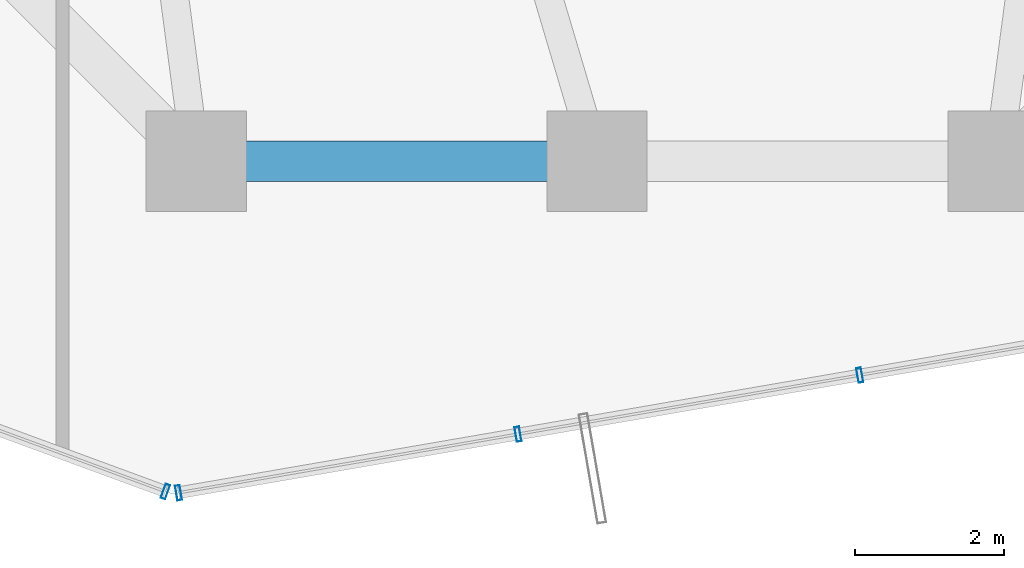
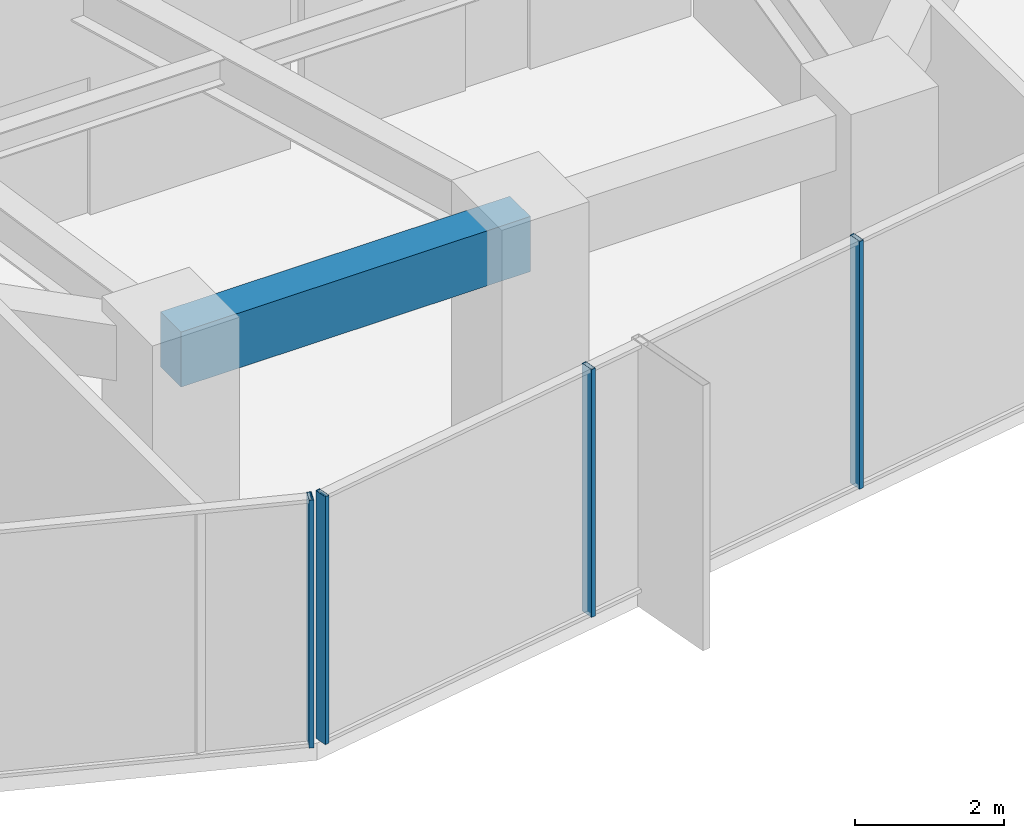
# One storey, part 6 of 35: 4 members, 1 beam, 2 elements without a shape of their own.
"""IFC4 building model written with IfcOpenShell, lengths in metres."""

import ifcopenshell
import ifcopenshell.guid

model = None  # the IFC model being written
_history = None  # IfcOwnerHistory: only IFC2X3 demands one
_inside = {}  # id of a spatial element -> (the spatial element, [elements in it])
_under = {}  # id of a project, library or spatial element -> (it, [spatial elements below it])
_declared = {}  # id of a project -> (the project, [libraries it declares])
_typed = {}  # id of a type object -> (the type object, [elements of that type])
_made_of = {}  # id of a material, layer set ... -> (it, [elements and type objects made of it])


def new_model(schema):
    """Start an empty IFC model of exactly this schema.

    Asked for "IFC4X3", IfcOpenShell would pick the latest addendum, in which some entities
    have other attributes; the version numbers below select the first issue.
    IFC2X3 requires an IfcOwnerHistory on every rooted entity: one is made here for all.
    """
    global model, _history
    if schema == "IFC4X3":
        model = ifcopenshell.file(schema_version=(4, 3, 0, 0))
    else:
        model = ifcopenshell.file(schema=schema)
    _inside.clear()
    _under.clear()
    _declared.clear()
    _typed.clear()
    _made_of.clear()
    _history = None
    if model.schema == "IFC2X3":
        org = make("IfcOrganization", Name="unknown")
        user = make(
            "IfcPersonAndOrganization",
            ThePerson=make("IfcPerson", FamilyName="unknown"),
            TheOrganization=org,
        )
        app = make(
            "IfcApplication",
            ApplicationDeveloper=org,
            Version="unknown",
            ApplicationFullName="unknown",
            ApplicationIdentifier="unknown",
        )
        _history = make(
            "IfcOwnerHistory",
            OwningUser=user,
            OwningApplication=app,
            ChangeAction="ADDED",
            CreationDate=0,
        )
    return model


def make(cls, **values):
    """One entity of the class cls with the attributes given. An attribute that is None is left unset."""
    return model.create_entity(
        cls, **{name: value for name, value in values.items() if value is not None}
    )


def rooted(cls, **values):
    """An entity with a GlobalId (a new one), such as an element, a storey or a relation."""
    return make(cls, GlobalId=ifcopenshell.guid.new(), OwnerHistory=_history, **values)


def si_unit(unit_type, name, prefix=None):
    """IfcSIUnit, for example si_unit("LENGTHUNIT", "METRE", prefix="MILLI")."""
    return make("IfcSIUnit", UnitType=unit_type, Prefix=prefix, Name=name)


def assignment(units):
    """IfcUnitAssignment: the units of a project."""
    return None if units is None else make("IfcUnitAssignment", Units=units)


def point(xyz):
    """IfcCartesianPoint."""
    return None if xyz is None else make("IfcCartesianPoint", Coordinates=xyz)


def direction(xyz):
    """IfcDirection."""
    return None if xyz is None else make("IfcDirection", DirectionRatios=xyz)


def frame(location, z_axis=None, x_axis=None):
    """IfcAxis2Placement3D, a coordinate frame: its origin and axes. An axis left out is left unset."""
    return make(
        "IfcAxis2Placement3D",
        Location=point(location),
        Axis=direction(z_axis),
        RefDirection=direction(x_axis),
    )


def frame_2d(location, x_axis=None):
    """IfcAxis2Placement2D, a coordinate frame in the plane: its origin and x axis."""
    return make(
        "IfcAxis2Placement2D", Location=point(location), RefDirection=direction(x_axis)
    )


def origin():
    """The frame at (0, 0, 0) with its axes left unset."""
    return frame((0.0, 0.0, 0.0))


def origin_2d():
    """The frame at (0, 0) in the plane with its x axis left unset."""
    return frame_2d((0.0, 0.0))


def place(relative_to, where):
    """IfcLocalPlacement: puts the frame where relative to a parent placement (None: the world)."""
    return make(
        "IfcLocalPlacement", PlacementRelTo=relative_to, RelativePlacement=where
    )


def context(
    kind, dimensions, precision=None, world=None, true_north=None, identifier=None
):
    """IfcGeometricRepresentationContext, for example the 3D "Model" context."""
    return make(
        "IfcGeometricRepresentationContext",
        ContextIdentifier=identifier,
        ContextType=kind,
        CoordinateSpaceDimension=dimensions,
        Precision=precision,
        WorldCoordinateSystem=world,
        TrueNorth=true_north,
    )


def subcontext(parent, identifier, kind, view, scale=None):
    """IfcGeometricRepresentationSubContext, for example "Body" below "Model"."""
    return make(
        "IfcGeometricRepresentationSubContext",
        ContextIdentifier=identifier,
        ContextType=kind,
        ParentContext=parent,
        TargetScale=scale,
        TargetView=view,
    )


def project(units=None, contexts=None):
    """IfcProject with its units and contexts."""
    return rooted(
        "IfcProject",
        Name="project",
        RepresentationContexts=contexts,
        UnitsInContext=assignment(units),
    )


def spatial(cls, under=None, at=None, **own):
    """A site, building, storey or space (cls), placed at a placement, below another one or the project."""
    s = rooted(cls, ObjectPlacement=at, **own)
    if under is not None:
        _under.setdefault(under.id(), (under, []))[1].append(s)
    return s


def profile(cls, at=None, kind="AREA", **sizes):
    """A parametric profile (cls). Its sizes go by their IFC names, for example OverallWidth=200.0."""
    return make(cls, ProfileType=kind, Position=at, **sizes)


def rectangle(**sizes):
    """IfcRectangleProfileDef."""
    return profile("IfcRectangleProfileDef", **sizes)


def hollow_rectangle(**sizes):
    """IfcRectangleHollowProfileDef."""
    return profile("IfcRectangleHollowProfileDef", **sizes)


def extrude(swept, where, along, depth):
    """IfcExtrudedAreaSolid: the profile swept, set in the frame where, extruded along a direction by depth."""
    return make(
        "IfcExtrudedAreaSolid",
        SweptArea=swept,
        Position=where,
        ExtrudedDirection=direction(along),
        Depth=depth,
    )


def shape(context_of_items, identifier, shape_type, items):
    """IfcShapeRepresentation: the items that make up one representation, for example the "Body"."""
    return make(
        "IfcShapeRepresentation",
        ContextOfItems=context_of_items,
        RepresentationIdentifier=identifier,
        RepresentationType=shape_type,
        Items=items,
    )


def source(mapping_origin, context_of_items, identifier, shape_type, items):
    """IfcRepresentationMap: a shape defined once, which mapped items show again and again."""
    return make(
        "IfcRepresentationMap",
        MappingOrigin=mapping_origin,
        MappedRepresentation=shape(context_of_items, identifier, shape_type, items),
    )


def transform(
    local_origin,
    x_axis=None,
    y_axis=None,
    z_axis=None,
    scale=None,
    scale2=None,
    scale3=None,
    uniform=True,
):
    """IfcCartesianTransformationOperator3D, or its non-uniform kind. x_axis, y_axis, z_axis: its Axis1, 2, 3."""
    if uniform:
        return make(
            "IfcCartesianTransformationOperator3D",
            Axis1=direction(x_axis),
            Axis2=direction(y_axis),
            LocalOrigin=point(local_origin),
            Scale=scale,
            Axis3=direction(z_axis),
        )
    return make(
        "IfcCartesianTransformationOperator3DnonUniform",
        Axis1=direction(x_axis),
        Axis2=direction(y_axis),
        LocalOrigin=point(local_origin),
        Scale=scale,
        Axis3=direction(z_axis),
        Scale2=scale2,
        Scale3=scale3,
    )


def mapped(mapping_source, mapping_target):
    """IfcMappedItem: shows the shape of a source again, moved by a transform."""
    return make(
        "IfcMappedItem", MappingSource=mapping_source, MappingTarget=mapping_target
    )


def material(Name=None, Category=None):
    """IfcMaterial."""
    return make("IfcMaterial", Name=Name, Category=Category)


def layer(
    of_material, thickness, ventilated=None, Name=None, Category=None, Priority=None
):
    """IfcMaterialLayer: one layer of a wall or slab, of a material (None: an air gap)."""
    return make(
        "IfcMaterialLayer",
        Material=of_material,
        LayerThickness=thickness,
        IsVentilated=ventilated,
        Name=Name,
        Category=Category,
        Priority=Priority,
    )


def layer_set(layers, Name=None):
    """IfcMaterialLayerSet."""
    return make("IfcMaterialLayerSet", MaterialLayers=layers, LayerSetName=Name)


def material_profile(
    of_material, cross_section, Name=None, Category=None, Priority=None
):
    """IfcMaterialProfile: a cross section and its material."""
    return make(
        "IfcMaterialProfile",
        Name=Name,
        Material=of_material,
        Profile=cross_section,
        Priority=Priority,
        Category=Category,
    )


def profile_set(profiles, Name=None, composite=None):
    """IfcMaterialProfileSet."""
    return make(
        "IfcMaterialProfileSet",
        Name=Name,
        MaterialProfiles=profiles,
        CompositeProfile=composite,
    )


def made_of(thing, what):
    """Note that an element or type object is made of a material, layer set ...; save() writes the relation."""
    if what is not None:
        _made_of.setdefault(what.id(), (what, []))[1].append(thing)
    return thing


def type_object(cls, material=None, **own):
    """A type object (cls), such as IfcWallType, which elements share."""
    return made_of(rooted(cls, **own), material)


def element(
    cls,
    number,
    at=None,
    inside=None,
    cuts=None,
    type_object=None,
    material=None,
    context=None,
    identifier="Body",
    shape_type=None,
    held_by="IfcProductDefinitionShape",
    body=None,
    shapes=None,
    **own,
):
    """One element of the class cls, such as IfcWall. Its Tag is "e" and its number.

    at: its placement. inside: the storey or other place that contains it. cuts: it is an
    opening in that element (IfcRelVoidsElement). A single representation is given by context,
    identifier, shape_type and body (its items); several are given by shapes. held_by: the class
    of the entity that holds the representations. save() writes the other relations.
    """
    e = rooted(cls, Tag="e%d" % number, ObjectPlacement=at, **own)
    if body is not None:
        shapes = [shape(context, identifier, shape_type, body)]
    if shapes is not None:
        e.Representation = make(held_by, Representations=shapes)
    if inside is not None:
        _inside.setdefault(inside.id(), (inside, []))[1].append(e)
    if cuts is not None:
        rooted(
            "IfcRelVoidsElement", RelatingBuildingElement=cuts, RelatedOpeningElement=e
        )
    if type_object is not None:
        _typed.setdefault(type_object.id(), (type_object, []))[1].append(e)
    return made_of(e, material)


def aggregate(whole, parts):
    """IfcRelAggregates: a whole, such as a stair, and the parts it consists of."""
    return rooted("IfcRelAggregates", RelatingObject=whole, RelatedObjects=parts)


def save(model, path):
    """Write the relations noted so far, then the file.

    IfcRelAggregates (storeys below a building ...), IfcRelContainedInSpatialStructure (elements
    in a storey), IfcRelDefinesByType, IfcRelAssociatesMaterial and IfcRelDeclares: one each for
    every whole, place, type object, material and project.
    """
    for whole, parts in _under.values():
        aggregate(whole, parts)
    for where, things in _inside.values():
        rooted(
            "IfcRelContainedInSpatialStructure",
            RelatedElements=things,
            RelatingStructure=where,
        )
    for kind, things in _typed.values():
        rooted("IfcRelDefinesByType", RelatedObjects=things, RelatingType=kind)
    for what, things in _made_of.values():
        rooted("IfcRelAssociatesMaterial", RelatedObjects=things, RelatingMaterial=what)
    for by, libraries in _declared.values():
        rooted("IfcRelDeclares", RelatingContext=by, RelatedDefinitions=libraries)
    model.write(path)


model = new_model("IFC4")

# Units and contexts
model_context = context("Model", 3, precision=1e-05, world=origin(), true_north=direction((0.0, 1.0)))
body_context = subcontext(model_context, "Body", "Model", "MODEL_VIEW")
ifc_project = project(units=[si_unit("LENGTHUNIT", "METRE"), si_unit("AREAUNIT", "SQUARE_METRE"), si_unit("VOLUMEUNIT", "CUBIC_METRE"), si_unit("PLANEANGLEUNIT", "RADIAN"), si_unit("MASSUNIT", "GRAM", prefix="KILO")], contexts=[model_context])

# Site, building, storey
site_placement = place(None, origin())
site = spatial("IfcSite", under=ifc_project, at=site_placement, CompositionType="ELEMENT")
building_placement = place(site_placement, origin())
building = spatial("IfcBuilding", under=site, at=building_placement, Name="Veraguas Prism Commons", CompositionType="ELEMENT")
storey_placement = place(building_placement, frame((0.0, 0.0, 56.550048828125)))
storey = spatial("IfcBuildingStorey", under=building, at=storey_placement, Name="L15", CompositionType="ELEMENT", Elevation=56.550048828125)

# Beam
ifc_material_1 = material(Name="Concrete C50/60", Category="concrete")
ifc_material_profile_1 = material_profile(ifc_material_1, rectangle(XDim=0.550048828125, YDim=0.89990234375, at=origin_2d()), Name="RC550X900")
ifc_profile_set_1 = profile_set([ifc_material_profile_1], Name="Concrete C50/60")
beam_type = type_object("IfcBeamType", Name="Perimeter Spandrel Lower RC 550x900", PredefinedType="SPANDREL", material=ifc_profile_set_1)
beam_placement = place(storey_placement, frame((18.60009765625, 6.39990234375, 3.599853515625), z_axis=(1.0, 0.0, 0.0), x_axis=(0.0, 1.0, 0.0)))
element("IfcBeam", 1, at=beam_placement, inside=storey, type_object=beam_type, Name="Perimeter Spandrel Beam L15-SP10", PredefinedType="SPANDREL", context=body_context, shape_type="SweptSolid", body=[
    extrude(rectangle(XDim=0.550048828125, YDim=0.89990234375, at=origin_2d()), origin(), (0.0, 0.0, 1.0), 5.39990234375),
])

# Curtain wall, members
ifc_material_2 = material(Name="Anodised aluminium EN AW-6063 T6", Category="aluminium")
ifc_layer = layer(ifc_material_2, 0.199951171875, Name="Sky Lobby and Pool Acoustic Curtain Wall", Category="aluminium")
ifc_layer_set = layer_set([ifc_layer], Name="Anodised aluminium EN AW-6063 T6")
curtain_wall_type = type_object("IfcCurtainWallType", Name="Sky Lobby and Pool Acoustic Curtain Wall", PredefinedType="NOTDEFINED", material=ifc_layer_set)
curtain_wall_1_placement = place(storey_placement, origin())
curtain_wall_1 = element("IfcCurtainWall", 2, at=curtain_wall_1_placement, inside=storey, type_object=curtain_wall_type, Name="Tower Facade Curtain Wall L15-F5", PredefinedType="NOTDEFINED")
ifc_material_profile_2 = material_profile(ifc_material_2, hollow_rectangle(XDim=0.06494140625, YDim=0.199951171875, WallThickness=0.00390625, at=origin_2d()), Name="AL65X200X4")
ifc_profile_set_2 = profile_set([ifc_material_profile_2], Name="Anodised aluminium EN AW-6063 T6")
member_type = type_object("IfcMemberType", Name="Curtain Wall Mullion Heavy AL 65x200x4", PredefinedType="MULLION", material=ifc_profile_set_2)
shared_shape = source(origin(), body_context, "Body", "SweptSolid", [
    extrude(hollow_rectangle(XDim=0.06494140625, YDim=0.199951171875, WallThickness=0.00390625, at=origin_2d()), origin(), (0.0, 0.0, 1.0), 4.050048828125),
])
member_1_placement = place(storey_placement, frame((18.364013671875, 1.93408203125, 0.0), z_axis=(0.0, 0.0, 1.0), x_axis=(0.985407898483, 0.170209499166, 0.0)))
member_1 = element("IfcMember", 3, at=member_1_placement, type_object=member_type, Name="CW-SKY Mullion 1", PredefinedType="MULLION", context=body_context, shape_type="MappedRepresentation", body=[
    mapped(shared_shape, transform((0.0, 0.0, 0.0), scale=1.0)),
])
member_2_placement = place(storey_placement, frame((22.934814453125, 2.7236328125, 0.0), z_axis=(0.0, 0.0, 1.0), x_axis=(0.985407898483, 0.170209499166, 0.0)))
member_2 = element("IfcMember", 4, at=member_2_placement, type_object=member_type, Name="CW-SKY Mullion 2", PredefinedType="MULLION", context=body_context, shape_type="MappedRepresentation", body=[
    mapped(shared_shape, transform((0.0, 0.0, 0.0), scale=1.0)),
])
member_3_placement = place(storey_placement, frame((27.537841796875, 3.518798828125, 0.0), z_axis=(0.0, 0.0, 1.0), x_axis=(0.985407898483, 0.170209499166, 0.0)))
member_3 = element("IfcMember", 5, at=member_3_placement, type_object=member_type, Name="CW-SKY Mullion 3", PredefinedType="MULLION", context=body_context, shape_type="MappedRepresentation", body=[
    mapped(shared_shape, transform((0.0, 0.0, 0.0), scale=1.0)),
])
aggregate(curtain_wall_1, [member_1, member_2, member_3])

# Curtain wall, member
curtain_wall_2_placement = place(storey_placement, origin())
curtain_wall_2 = element("IfcCurtainWall", 6, at=curtain_wall_2_placement, inside=storey, type_object=curtain_wall_type, Name="Chamfer Curtain Wall L15-C5", PredefinedType="NOTDEFINED")
member_4_placement = place(storey_placement, frame((18.186279296875, 1.950439453125, 0.0), z_axis=(0.0, 0.0, 1.0), x_axis=(0.938493625417, -0.345296561019, 0.0)))
member_4 = element("IfcMember", 7, at=member_4_placement, type_object=member_type, Name="CW-SKY Mullion 2", PredefinedType="MULLION", context=body_context, shape_type="MappedRepresentation", body=[
    mapped(shared_shape, transform((0.0, 0.0, 0.0), scale=1.0)),
])
aggregate(curtain_wall_2, [member_4])

save(model, "model.ifc")
